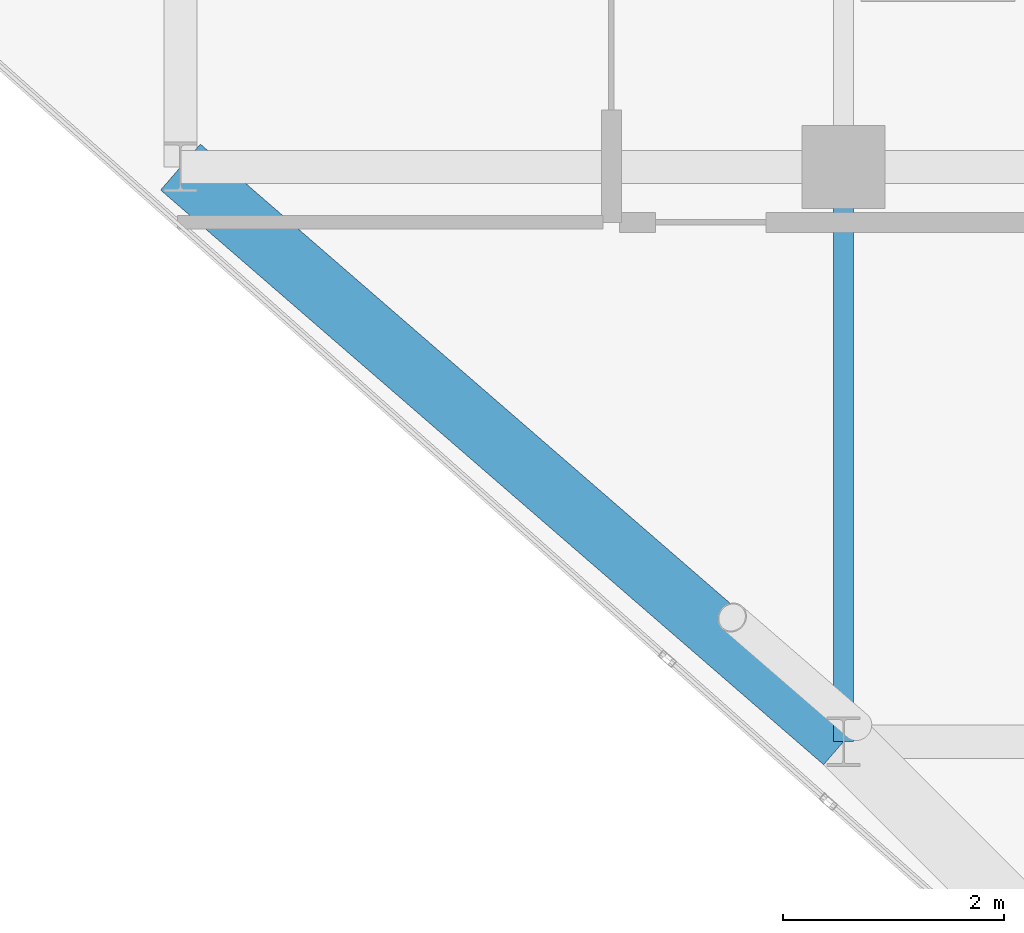
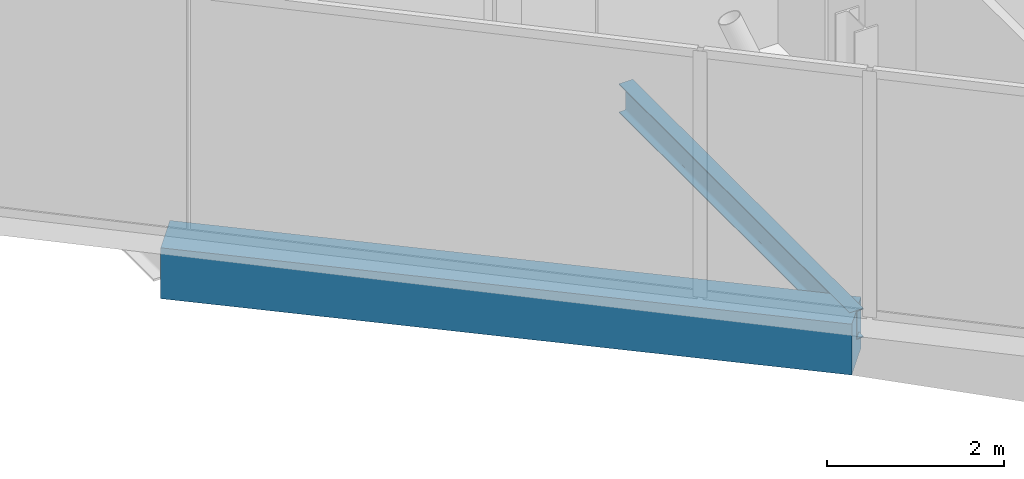
# One storey, part 5 of 29: 2 beams.
"""IFC4 building model written with IfcOpenShell, lengths in metres."""

from ifc_helpers import new_model, si_unit, direction, frame, origin, origin_2d, place, context, subcontext, project, spatial, rectangle, i_section, extrude, material, material_profile, profile_set, type_object, element, save


model = new_model("IFC4")

# Units and contexts
model_context = context("Model", 3, precision=1e-05, world=origin(), true_north=direction((0.0, 1.0)))
body_context = subcontext(model_context, "Body", "Model", "MODEL_VIEW")
ifc_project = project(units=[si_unit("LENGTHUNIT", "METRE"), si_unit("AREAUNIT", "SQUARE_METRE"), si_unit("VOLUMEUNIT", "CUBIC_METRE"), si_unit("PLANEANGLEUNIT", "RADIAN"), si_unit("MASSUNIT", "GRAM", prefix="KILO")], contexts=[model_context])

# Site, building, storey
site_placement = place(None, origin())
site = spatial("IfcSite", under=ifc_project, at=site_placement, CompositionType="ELEMENT")
building_placement = place(site_placement, origin())
building = spatial("IfcBuilding", under=site, at=building_placement, Name="Keshet Zoharim Tower", CompositionType="ELEMENT")
storey_placement = place(building_placement, frame((0.0, 0.0, 222.800048828125)))
storey = spatial("IfcBuildingStorey", under=building, at=storey_placement, Name="L55", CompositionType="ELEMENT", Elevation=222.800048828125)

# Beams
ifc_material_1 = material(Name="Steel S355", Category="steel")
ifc_material_profile_1 = material_profile(ifc_material_1, i_section(OverallWidth=0.179931640625, OverallDepth=0.39990234375, WebThickness=0.008544921875, FlangeThickness=0.013427734375, FilletRadius=0.02099609375, at=origin_2d()), Name="IPE400")
ifc_profile_set_1 = profile_set([ifc_material_profile_1], Name="Steel S355")
beam_type_1 = type_object("IfcBeamType", Name="BM-PRI-IP400", PredefinedType="BEAM", material=ifc_profile_set_1)
beam_1_placement = place(storey_placement, frame((15.0, 12.699951171875, -0.510009765625), z_axis=(0.0, 1.0, 0.0), x_axis=(-1.0, 0.0, 0.0)))
element("IfcBeam", 1, at=beam_1_placement, inside=storey, type_object=beam_type_1, Name="L55 Primary Girder Y-002", PredefinedType="BEAM", context=body_context, shape_type="SweptSolid", body=[
    extrude(i_section(OverallWidth=0.179931640625, OverallDepth=0.39990234375, WebThickness=0.008544921875, FlangeThickness=0.013427734375, FilletRadius=0.02099609375, at=origin_2d()), origin(), (0.0, 0.0, 1.0), 5.199951171875),
])
ifc_material_2 = material(Name="Concrete C50/60", Category="concrete")
ifc_material_profile_2 = material_profile(ifc_material_2, rectangle(XDim=0.550048828125, YDim=0.699951171875, at=origin_2d()), Name="RC700x550")
ifc_profile_set_2 = profile_set([ifc_material_profile_2], Name="Concrete C50/60")
beam_type_2 = type_object("IfcBeamType", Name="BM-SPN-700", PredefinedType="SPANDREL", material=ifc_profile_set_2)
beam_2_placement = place(storey_placement, frame((9.0, 17.89990234375, -0.66015625), z_axis=(0.755692126483, -0.654927026447, 0.0), x_axis=(0.654927026447, 0.755692126483, 0.0)))
element("IfcBeam", 2, at=beam_2_placement, inside=storey, type_object=beam_type_2, Name="L55 Perimeter Spandrel Beam 02", PredefinedType="SPANDREL", context=body_context, shape_type="SweptSolid", body=[
    extrude(rectangle(XDim=0.550048828125, YDim=0.699951171875, at=origin_2d()), origin(), (0.0, 0.0, 1.0), 7.939697265625),
])

save(model, "model.ifc")
